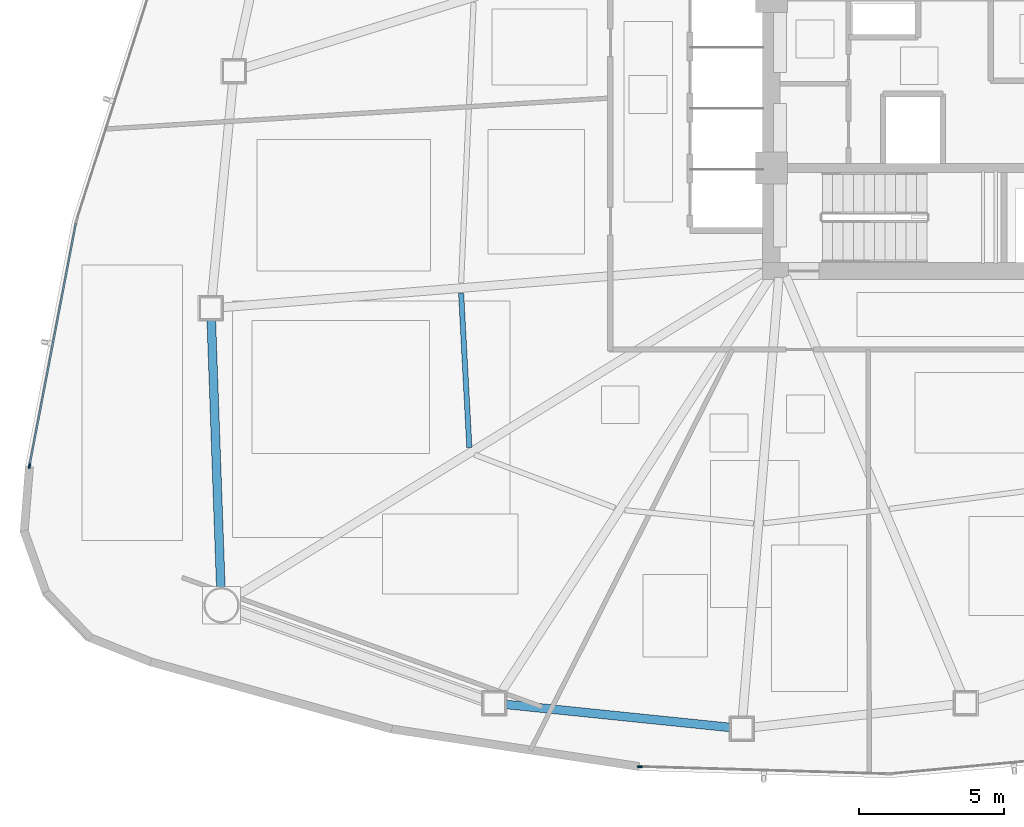
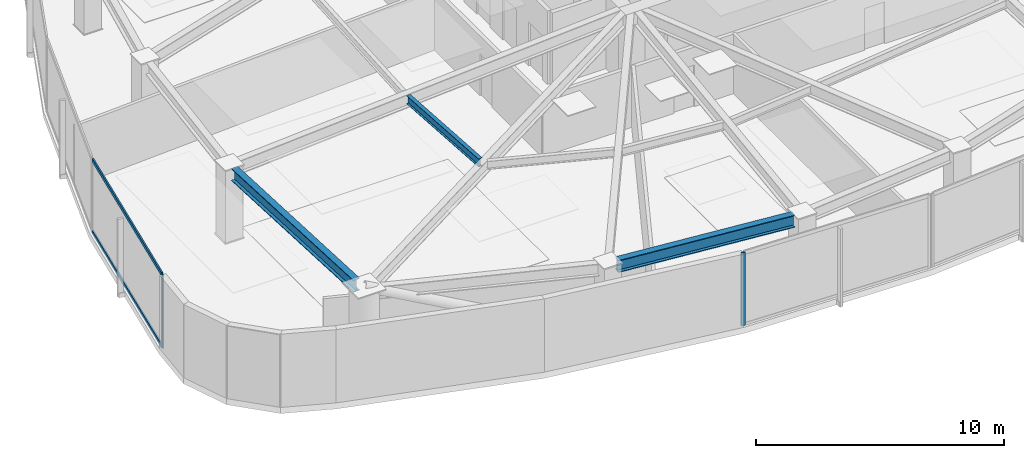
# One storey, part 2 of 16: 4 members, 3 beams, 2 elements without a shape of their own.
"""IFC4 building model written with IfcOpenShell, lengths in metres."""

from ifc_helpers import new_model, si_unit, direction, frame, origin, origin_2d, place, context, subcontext, project, spatial, hollow_rectangle, i_section, extrude, source, transform, mapped, material, layer, layer_set, material_profile, profile_set, type_object, type_shapes, element, aggregate, save


model = new_model("IFC4")

# Units and contexts
model_context = context("Model", 3, precision=1e-05, world=origin(), true_north=direction((0.0, 1.0)))
body_context = subcontext(model_context, "Body", "Model", "MODEL_VIEW")
ifc_project = project(units=[si_unit("LENGTHUNIT", "METRE"), si_unit("AREAUNIT", "SQUARE_METRE"), si_unit("VOLUMEUNIT", "CUBIC_METRE"), si_unit("PLANEANGLEUNIT", "RADIAN"), si_unit("MASSUNIT", "GRAM", prefix="KILO")], contexts=[model_context])

# Site, building, storey
site_placement = place(None, origin())
site = spatial("IfcSite", under=ifc_project, at=site_placement, CompositionType="ELEMENT")
building_placement = place(site_placement, origin())
building = spatial("IfcBuilding", under=site, at=building_placement, Name="Tavelor Broadcast Tower", CompositionType="ELEMENT")
storey_placement = place(building_placement, frame((0.0, 0.0, 31.5)))
storey = spatial("IfcBuildingStorey", under=building, at=storey_placement, Name="L06", CompositionType="ELEMENT", Elevation=31.5)

# Beams
ifc_material_1 = material(Name="Steel S355", Category="steel")
ifc_material_profile_1 = material_profile(ifc_material_1, i_section(OverallWidth=0.179931640625, OverallDepth=0.39990234375, WebThickness=0.008544921875, FlangeThickness=0.013427734375, at=origin_2d()), Name="IPE 400")
ifc_profile_set_1 = profile_set([ifc_material_profile_1], Name="Steel S355")
beam_type_1 = type_object("IfcBeamType", Name="Composite Floor Joist T1 IPE 400", PredefinedType="JOIST", material=ifc_profile_set_1)
beam_1_placement = place(storey_placement, frame((32.413330078125, 37.73095703125, 3.39990234375), z_axis=(0.053261912521, -0.998580576956, 0.0), x_axis=(0.998580576956, 0.053261912521, 0.0)))
element("IfcBeam", 1, at=beam_1_placement, inside=storey, type_object=beam_type_1, Name="L06 Secondary Composite Floor Joist 06", PredefinedType="JOIST", context=body_context, shape_type="SweptSolid", body=[
    extrude(i_section(OverallWidth=0.179931640625, OverallDepth=0.39990234375, WebThickness=0.008544921875, FlangeThickness=0.013427734375, at=origin_2d()), origin(), (0.0, 0.0, 1.0), 5.32177734375),
])
ifc_material_profile_2 = material_profile(ifc_material_1, i_section(OverallWidth=0.300048828125, OverallDepth=0.60009765625, WebThickness=0.015380859375, FlangeThickness=0.030029296875, at=origin_2d()), Name="HEB 600")
ifc_profile_set_2 = profile_set([ifc_material_profile_2], Name="Steel S355")
beam_type_2 = type_object("IfcBeamType", Name="Perimeter Spandrel Beam T1 HEB 600", PredefinedType="SPANDREL", material=ifc_profile_set_2)
beam_2_placement = place(storey_placement, frame((23.808349609375, 36.83251953125, 3.300048828125), z_axis=(0.035604109309, -0.999365972705, 0.0), x_axis=(0.999365972705, 0.035604109309, 0.0)))
element("IfcBeam", 2, at=beam_2_placement, inside=storey, type_object=beam_type_2, Name="L06 Framed-Tube Ring Spandrel 06", PredefinedType="SPANDREL", context=body_context, shape_type="SweptSolid", body=[
    extrude(i_section(OverallWidth=0.300048828125, OverallDepth=0.60009765625, WebThickness=0.015380859375, FlangeThickness=0.030029296875, at=origin_2d()), origin(), (0.0, 0.0, 1.0), 9.263916015625),
])
beam_3_placement = place(storey_placement, frame((33.932861328125, 23.576416015625, 3.300048828125), z_axis=(0.994769619219, -0.102144038879, 0.0), x_axis=(0.102144038879, 0.994769619219, 0.0)))
element("IfcBeam", 3, at=beam_3_placement, inside=storey, type_object=beam_type_2, Name="L06 Framed-Tube Ring Spandrel 08", PredefinedType="SPANDREL", context=body_context, shape_type="SweptSolid", body=[
    extrude(i_section(OverallWidth=0.300048828125, OverallDepth=0.60009765625, WebThickness=0.015380859375, FlangeThickness=0.030029296875, at=origin_2d()), origin(), (0.0, 0.0, 1.0), 7.799072265625),
])

# Curtain wall, member
ifc_material_2 = material(Name="Architectural Anodized Aluminium", Category="aluminium")
ifc_layer = layer(ifc_material_2, 0.179931640625)
ifc_layer_set = layer_set([ifc_layer], Name="Architectural Anodized Aluminium")
curtain_wall_type = type_object("IfcCurtainWallType", Name="Tower Low-Zone Unitised Curtain Wall CW02", PredefinedType="NOTDEFINED", material=ifc_layer_set)
curtain_wall_1_placement = place(storey_placement, origin())
curtain_wall_1 = element("IfcCurtainWall", 4, at=curtain_wall_1_placement, inside=storey, type_object=curtain_wall_type, Name="L06 Curtain Wall CW02 Run 28", PredefinedType="NOTDEFINED")
ifc_material_profile_3 = material_profile(ifc_material_2, hollow_rectangle(XDim=0.06494140625, YDim=0.179931640625, WallThickness=0.02197265625, at=origin_2d()), Name="RHS 65x180x22")
ifc_profile_set_3 = profile_set([ifc_material_profile_3], Name="Architectural Anodized Aluminium")
member_type_1 = type_object("IfcMemberType", Name="CW02 Extruded Aluminium Mullion 65x180", PredefinedType="MULLION", material=ifc_profile_set_3)
shared_shape_1 = source(origin(), body_context, "Body", "SweptSolid", [
    extrude(hollow_rectangle(XDim=0.06494140625, YDim=0.179931640625, WallThickness=0.02197265625, at=origin_2d()), origin(), (0.0, 0.0, 1.0), 3.60009765625),
])
type_shapes(member_type_1, [shared_shape_1])
member_1_placement = place(storey_placement, frame((17.55029296875, 31.792236328125, 0.0), z_axis=(0.0, 0.0, 1.0), x_axis=(0.98221087484, -0.187781248653, 0.0)))
member_1 = element("IfcMember", 5, at=member_1_placement, type_object=member_type_1, Name="CW02 mullion 2", PredefinedType="MULLION", context=body_context, shape_type="MappedRepresentation", body=[
    mapped(shared_shape_1, transform((0.0, 0.0, 0.0), scale=1.0)),
])

curtain_wall_2_placement = place(storey_placement, origin())
curtain_wall_2 = element("IfcCurtainWall", 6, at=curtain_wall_2_placement, inside=storey, type_object=curtain_wall_type, Name="L06 Curtain Wall CW02 Run 29", PredefinedType="NOTDEFINED")
member_2_placement = place(storey_placement, frame((38.566650390625, 21.4326171875, 0.0), z_axis=(0.0, 0.0, 1.0), x_axis=(0.029245340553, 0.999572263549, 0.0)))
member_2 = element("IfcMember", 7, at=member_2_placement, type_object=member_type_1, Name="CW02 mullion 1", PredefinedType="MULLION", context=body_context, shape_type="MappedRepresentation", body=[
    mapped(shared_shape_1, transform((0.0, 0.0, 0.0), scale=1.0)),
])
aggregate(curtain_wall_2, [member_2])

# Member
ifc_material_profile_4 = material_profile(ifc_material_2, hollow_rectangle(XDim=0.06494140625, YDim=0.179931640625, WallThickness=0.02197265625, at=origin_2d()), Name="RHS 65x180x22")
ifc_profile_set_4 = profile_set([ifc_material_profile_4], Name="Architectural Anodized Aluminium")
member_type_2 = type_object("IfcMemberType", Name="CW02 Extruded Aluminium Transom 65x180", PredefinedType="USERDEFINED", material=ifc_profile_set_4)
shared_shape_2 = source(origin(), body_context, "Body", "SweptSolid", [
    extrude(hollow_rectangle(XDim=0.06494140625, YDim=0.179931640625, WallThickness=0.02197265625, at=origin_2d()), origin(), (0.0, 0.0, 1.0), 8.473876953125),
])
type_shapes(member_type_2, [shared_shape_2])
member_3_placement = place(storey_placement, frame((19.147705078125, 40.1474609375, 0.032470703125), z_axis=(-0.187787252169, -0.982209727056, 0.0), x_axis=(0.982209727056, -0.187787252169, 0.0)))
member_3 = element("IfcMember", 8, at=member_3_placement, type_object=member_type_2, Name="CW02 transom 1.1", ObjectType="TRANSOM", PredefinedType="USERDEFINED", context=body_context, shape_type="MappedRepresentation", body=[
    mapped(shared_shape_2, transform((0.0, 0.0, 0.0), scale=1.0)),
])

member_4_placement = place(storey_placement, frame((19.147705078125, 40.1474609375, 3.5673828125), z_axis=(-0.187787252169, -0.982209727056, 0.0), x_axis=(0.982209727056, -0.187787252169, 0.0)))
member_4 = element("IfcMember", 9, at=member_4_placement, type_object=member_type_2, Name="CW02 transom 1.2", ObjectType="TRANSOM", PredefinedType="USERDEFINED", context=body_context, shape_type="MappedRepresentation", body=[
    mapped(shared_shape_2, transform((0.0, 0.0, 0.0), scale=1.0)),
])

aggregate(curtain_wall_1, [member_1, member_3, member_4])

save(model, "model.ifc")
